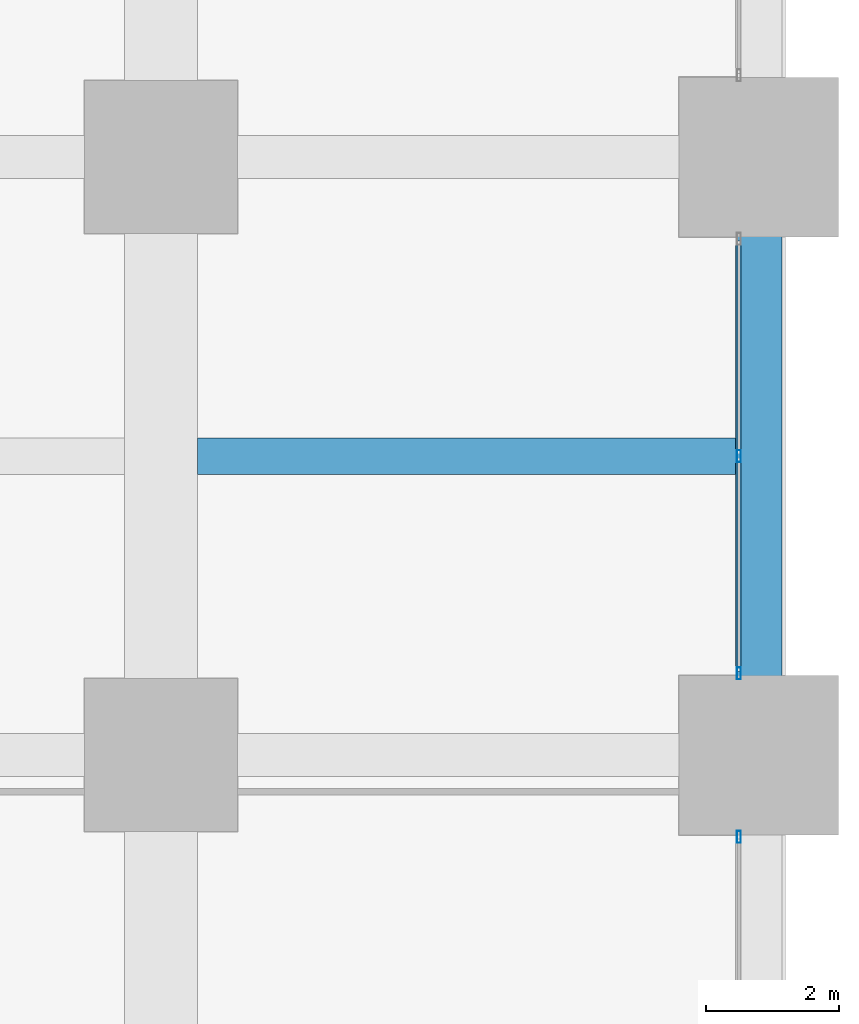
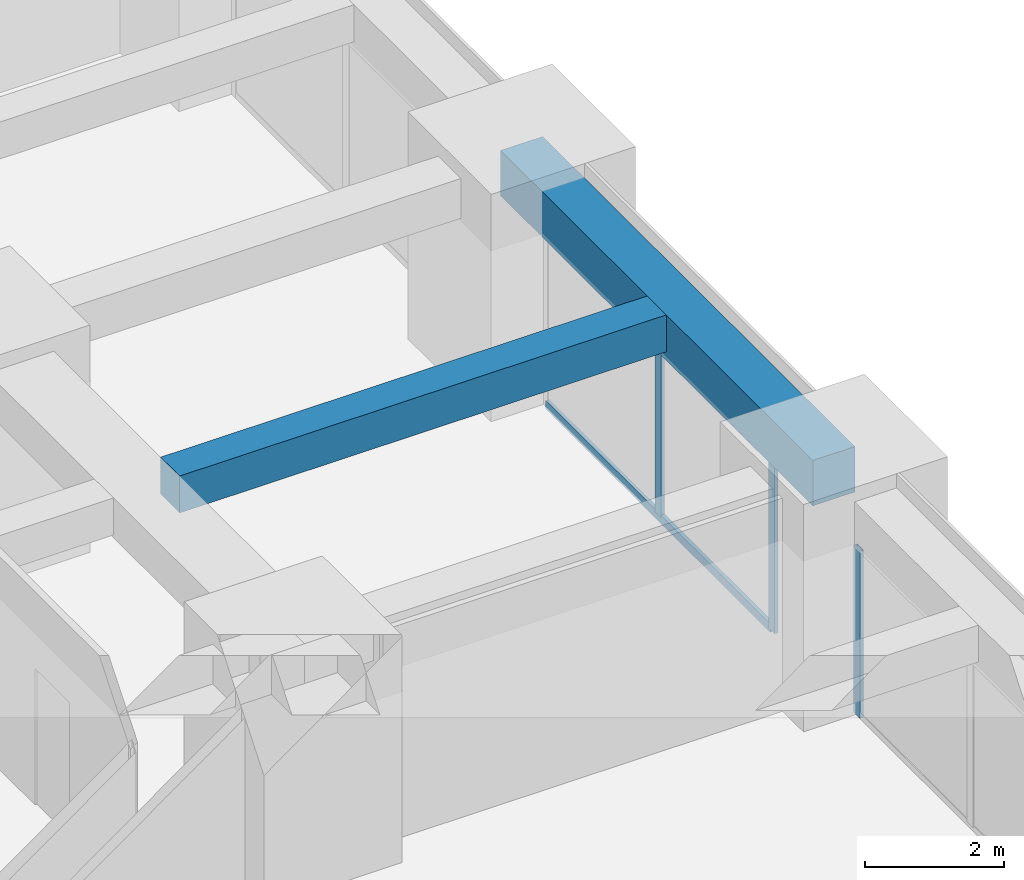
# One storey, part 20 of 45: 4 members, 2 beams, 2 elements without a shape of their own.
"""IFC4 building model written with IfcOpenShell, lengths in metres."""

from ifc_helpers import new_model, si_unit, direction, frame, origin, origin_2d, place, context, subcontext, project, spatial, rectangle, hollow_rectangle, extrude, material, material_profile, profile_set, type_object, element, aggregate, save


model = new_model("IFC4")

# Units and contexts
model_context = context("Model", 3, precision=1e-05, world=origin(), true_north=direction((0.0, 1.0)))
body_context = subcontext(model_context, "Body", "Model", "MODEL_VIEW")
ifc_project = project(units=[si_unit("LENGTHUNIT", "METRE"), si_unit("AREAUNIT", "SQUARE_METRE"), si_unit("VOLUMEUNIT", "CUBIC_METRE"), si_unit("PLANEANGLEUNIT", "RADIAN"), si_unit("MASSUNIT", "GRAM", prefix="KILO")], contexts=[model_context])

# Site, building, storey
site_placement = place(None, origin())
site = spatial("IfcSite", under=ifc_project, at=site_placement, CompositionType="ELEMENT")
building_placement = place(site_placement, origin())
building = spatial("IfcBuilding", under=site, at=building_placement, Name="Zorevar Civic Tower", CompositionType="ELEMENT")
storey_placement = place(building_placement, frame((0.0, 0.0, 39.800048828125)))
storey = spatial("IfcBuildingStorey", under=building, at=storey_placement, Name="L09", CompositionType="ELEMENT", Elevation=39.800048828125)

# Beam
ifc_material_1 = material(Name="Concrete C50/60", Category="concrete")
ifc_material_profile_1 = material_profile(ifc_material_1, rectangle(XDim=0.550048828125, YDim=0.64990234375, at=origin_2d()), Name="RC 550x650")
ifc_profile_set_1 = profile_set([ifc_material_profile_1], Name="Concrete C50/60")
beam_type_1 = type_object("IfcBeamType", Name="Beam RC 550x650", PredefinedType="BEAM", material=ifc_profile_set_1)
beam_1_placement = place(storey_placement, frame((54.550048828125, 22.5, 3.425048828125), z_axis=(1.0, 0.0, 0.0), x_axis=(0.0, 1.0, 0.0)))
element("IfcBeam", 1, at=beam_1_placement, inside=storey, type_object=beam_type_1, Name="Secondary beam L10", PredefinedType="BEAM", context=body_context, shape_type="SweptSolid", body=[
    extrude(rectangle(XDim=0.550048828125, YDim=0.64990234375, at=origin_2d()), origin(), (0.0, 0.0, 1.0), 8.099853515625),
])

# Curtain wall, member
ifc_material_2 = material(Name="Dark grey solar-control glass in black aluminium frame", Category="aluminium")
curtain_wall_type = type_object("IfcCurtainWallType", Name="Curtain wall CW2 low zone", PredefinedType="NOTDEFINED", material=ifc_material_2)
curtain_wall_1_placement = place(storey_placement, origin())
curtain_wall_1 = element("IfcCurtainWall", 2, at=curtain_wall_1_placement, inside=storey, type_object=curtain_wall_type, Name="CW2 L09", PredefinedType="NOTDEFINED")
ifc_material_3 = material(Name="Aluminium, black anodised", Category="aluminium")
ifc_material_profile_2 = material_profile(ifc_material_3, hollow_rectangle(XDim=0.06005859375, YDim=0.179931640625, WallThickness=0.00390625, at=origin_2d()), Name="AL 180x60x4")
ifc_profile_set_2 = profile_set([ifc_material_profile_2], Name="Aluminium, black anodised")
member_type_1 = type_object("IfcMemberType", Name="CW2 mullion AL 180x60x4", PredefinedType="MULLION", material=ifc_profile_set_2)
member_1_placement = place(storey_placement, frame((62.699951171875, 16.77001953125, 0.0), z_axis=(0.0, 0.0, 1.0), x_axis=(-1.0, 0.0, 0.0)))
member_1 = element("IfcMember", 3, at=member_1_placement, type_object=member_type_1, Name="CW2 mullion 3", PredefinedType="MULLION", context=body_context, shape_type="SweptSolid", body=[
    extrude(hollow_rectangle(XDim=0.06005859375, YDim=0.179931640625, WallThickness=0.00390625, at=origin_2d()), origin(), (0.0, 0.0, 1.0), 2.949951171875),
])
aggregate(curtain_wall_1, [member_1])

# Curtain wall, members
curtain_wall_2_placement = place(storey_placement, origin())
curtain_wall_2 = element("IfcCurtainWall", 4, at=curtain_wall_2_placement, inside=storey, type_object=curtain_wall_type, Name="CW2 L09", PredefinedType="NOTDEFINED")
member_2_placement = place(storey_placement, frame((62.699951171875, 19.22998046875, 0.0), z_axis=(0.0, 0.0, 1.0), x_axis=(-1.0, 0.0, 0.0)))
member_2 = element("IfcMember", 5, at=member_2_placement, type_object=member_type_1, Name="CW2 mullion 1", PredefinedType="MULLION", context=body_context, shape_type="SweptSolid", body=[
    extrude(hollow_rectangle(XDim=0.06005859375, YDim=0.179931640625, WallThickness=0.00390625, at=origin_2d()), origin(), (0.0, 0.0, 1.0), 2.949951171875),
])
member_3_placement = place(storey_placement, frame((62.699951171875, 22.5, 0.06005859375), z_axis=(0.0, 0.0, 1.0), x_axis=(-1.0, 0.0, 0.0)))
member_3 = element("IfcMember", 6, at=member_3_placement, type_object=member_type_1, Name="CW2 mullion 2", PredefinedType="MULLION", context=body_context, shape_type="SweptSolid", body=[
    extrude(hollow_rectangle(XDim=0.06005859375, YDim=0.179931640625, WallThickness=0.00390625, at=origin_2d()), origin(), (0.0, 0.0, 1.0), 2.889892578125),
])
ifc_material_4 = material(Name="Aluminium, black anodised", Category="aluminium")
ifc_material_profile_3 = material_profile(ifc_material_4, hollow_rectangle(XDim=0.06005859375, YDim=0.14990234375, WallThickness=0.00390625, at=origin_2d()), Name="AL 150x60x4")
ifc_profile_set_3 = profile_set([ifc_material_profile_3], Name="Aluminium, black anodised")
member_type_2 = type_object("IfcMemberType", Name="CW2 transom AL 150x60x4", PredefinedType="USERDEFINED", material=ifc_profile_set_3)
member_4_placement = place(storey_placement, frame((62.699951171875, 19.260009765625, 0.030029296875), z_axis=(0.0, 1.0, 0.0), x_axis=(-1.0, 0.0, 0.0)))
member_4 = element("IfcMember", 7, at=member_4_placement, type_object=member_type_2, Name="CW2 sill transom", ObjectType="TRANSOM", PredefinedType="USERDEFINED", context=body_context, shape_type="SweptSolid", body=[
    extrude(hollow_rectangle(XDim=0.06005859375, YDim=0.14990234375, WallThickness=0.00390625, at=origin_2d()), origin(), (0.0, 0.0, 1.0), 6.47998046875),
])
aggregate(curtain_wall_2, [member_2, member_3, member_4])

# Beam
ifc_material_5 = material(Name="Concrete C50/60", Category="concrete")
ifc_material_profile_4 = material_profile(ifc_material_5, rectangle(XDim=0.699951171875, YDim=0.800048828125, at=origin_2d()), Name="RC 700x800")
ifc_profile_set_4 = profile_set([ifc_material_profile_4], Name="Concrete C50/60")
beam_type_2 = type_object("IfcBeamType", Name="Edge beam RC 700x800", PredefinedType="SPANDREL", material=ifc_profile_set_4)
beam_2_placement = place(storey_placement, frame((63.0, 18.0, 3.349853515625), z_axis=(0.0, 1.0, 0.0), x_axis=(-1.0, 0.0, 0.0)))
element("IfcBeam", 8, at=beam_2_placement, inside=storey, type_object=beam_type_2, Name="Edge beam L10", PredefinedType="SPANDREL", context=body_context, shape_type="SweptSolid", body=[
    extrude(rectangle(XDim=0.699951171875, YDim=0.800048828125, at=origin_2d()), origin(), (0.0, 0.0, 1.0), 9.0),
])

save(model, "model.ifc")
